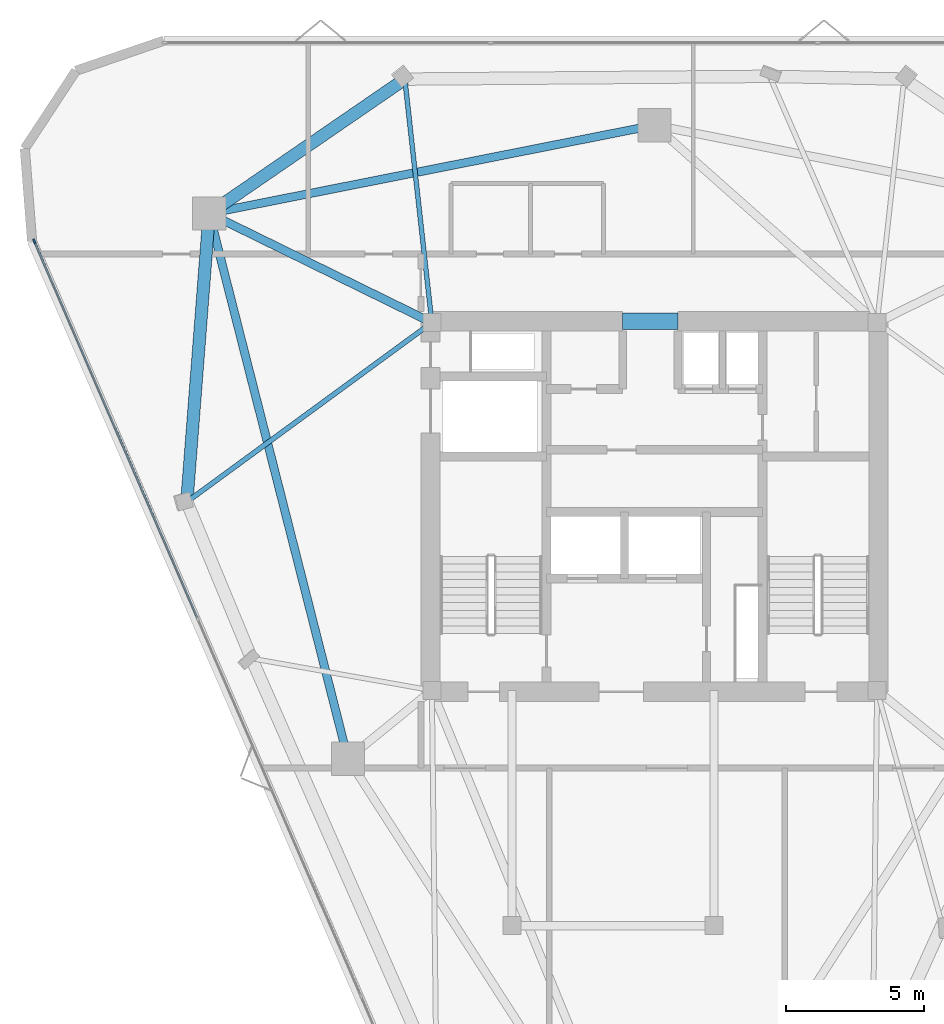
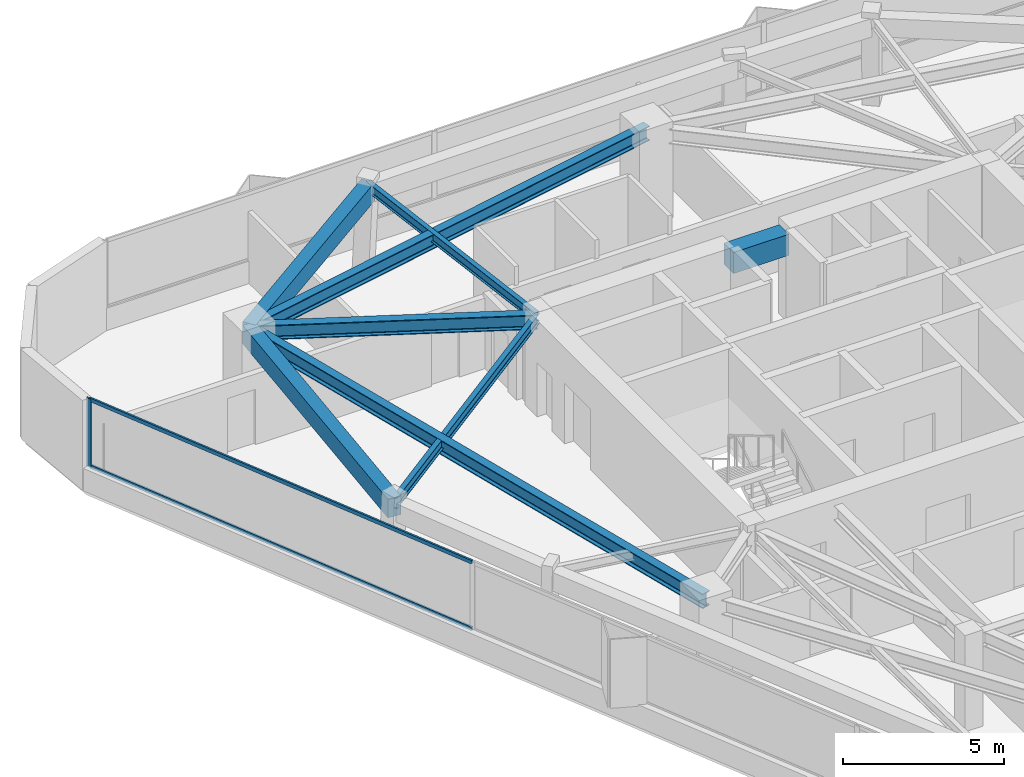
# One storey, part 5 of 11: 8 beams, 3 members, 1 element without a shape of its own.
"""IFC4 building model written with IfcOpenShell, lengths in metres."""

from ifc_helpers import new_model, si_unit, direction, frame, origin, origin_2d, place, context, subcontext, project, spatial, rectangle, i_section, extrude, material, layer, layer_set, material_profile, profile_set, type_object, element, aggregate, save


model = new_model("IFC4")

# Units and contexts
model_context = context("Model", 3, precision=1e-05, world=origin(), true_north=direction((0.0, 1.0)))
body_context = subcontext(model_context, "Body", "Model", "MODEL_VIEW")
ifc_project = project(units=[si_unit("LENGTHUNIT", "METRE"), si_unit("AREAUNIT", "SQUARE_METRE"), si_unit("VOLUMEUNIT", "CUBIC_METRE"), si_unit("PLANEANGLEUNIT", "RADIAN"), si_unit("MASSUNIT", "GRAM", prefix="KILO")], contexts=[model_context])

# Site, building, storey
site_placement = place(None, origin())
site = spatial("IfcSite", under=ifc_project, at=site_placement, CompositionType="ELEMENT")
building_placement = place(site_placement, origin())
building = spatial("IfcBuilding", under=site, at=building_placement, Name="Talyreon Biosciences Tower", CompositionType="ELEMENT")
storey_placement = place(building_placement, frame((0.0, 0.0, 264.449951171875)))
storey = spatial("IfcBuildingStorey", under=building, at=storey_placement, Name="L70", CompositionType="ELEMENT", Elevation=264.449951171875)

# Curtain wall, members
ifc_material_1 = material(Name="Thermally broken aluminium and low-E glazing", Category="aluminium")
ifc_layer = layer(ifc_material_1, 0.175048828125)
ifc_layer_set = layer_set([ifc_layer], Name="Thermally broken aluminium and low-E glazing")
curtain_wall_type = type_object("IfcCurtainWallType", Name="CurtainWall_Zone5CompLab", PredefinedType="NOTDEFINED", material=ifc_layer_set)
curtain_wall_placement = place(storey_placement, origin())
curtain_wall = element("IfcCurtainWall", 1, at=curtain_wall_placement, inside=storey, type_object=curtain_wall_type, Name="L70 Unitised Curtain Wall FCW-L70-00", PredefinedType="NOTDEFINED")
ifc_material_2 = material(Name="Anodised thermally broken aluminium", Category="aluminium")
ifc_material_profile_1 = material_profile(ifc_material_2, rectangle(XDim=0.06494140625, YDim=0.179931640625, at=origin_2d()), Name="ALUM MULLION 65x180")
ifc_profile_set_1 = profile_set([ifc_material_profile_1], Name="Anodised thermally broken aluminium")
member_type_1 = type_object("IfcMemberType", Name="CWMullion_65x180", PredefinedType="MULLION", material=ifc_profile_set_1)
member_1_placement = place(storey_placement, frame((43.57568359375, 77.58740234375, 0.81005859375), z_axis=(0.0, 0.0, 1.0), x_axis=(-0.917723103703, -0.397220725706, 0.0)))
member_1 = element("IfcMember", 2, at=member_1_placement, type_object=member_type_1, Name="CW6 mullion 4", PredefinedType="MULLION", context=body_context, shape_type="SweptSolid", body=[
    extrude(rectangle(XDim=0.06494140625, YDim=0.179931640625, at=origin_2d()), origin(), (0.0, 0.0, 1.0), 2.590087890625),
])
ifc_material_profile_2 = material_profile(ifc_material_2, rectangle(XDim=0.06494140625, YDim=0.139892578125, at=origin_2d()), Name="ALUM TRANSOM 65x140")
ifc_profile_set_2 = profile_set([ifc_material_profile_2], Name="Anodised thermally broken aluminium")
member_type_2 = type_object("IfcMemberType", Name="CWTransom_65x140", PredefinedType="USERDEFINED", material=ifc_profile_set_2)
member_2_placement = place(storey_placement, frame((49.462646484375, 63.986328125, 0.842529296875), z_axis=(-0.397216364839, 0.917724991217, 0.0), x_axis=(-0.917724991217, -0.397216364839, 0.0)))
member_2 = element("IfcMember", 3, at=member_2_placement, type_object=member_type_2, Name="CW6 transom 3.1", ObjectType="TRANSOM", PredefinedType="USERDEFINED", context=body_context, shape_type="SweptSolid", body=[
    extrude(rectangle(XDim=0.06494140625, YDim=0.139892578125, at=origin_2d()), origin(), (0.0, 0.0, 1.0), 14.7880859375),
])
member_3_placement = place(storey_placement, frame((49.462646484375, 63.986328125, 3.367431640625), z_axis=(-0.397216364839, 0.917724991217, 0.0), x_axis=(-0.917724991217, -0.397216364839, 0.0)))
member_3 = element("IfcMember", 4, at=member_3_placement, type_object=member_type_2, Name="CW6 transom 3.2", ObjectType="TRANSOM", PredefinedType="USERDEFINED", context=body_context, shape_type="SweptSolid", body=[
    extrude(rectangle(XDim=0.06494140625, YDim=0.139892578125, at=origin_2d()), origin(), (0.0, 0.0, 1.0), 14.7880859375),
])
aggregate(curtain_wall, [member_1, member_2, member_3])

# Beams
ifc_material_3 = material(Name="Concrete C50/60", Category="concrete")
ifc_material_profile_3 = material_profile(ifc_material_3, rectangle(XDim=0.60009765625, YDim=0.800048828125, at=origin_2d()), Name="RCB 600x800")
ifc_profile_set_3 = profile_set([ifc_material_profile_3], Name="Concrete C50/60")
beam_type_1 = type_object("IfcBeamType", Name="CoreCouplingLintel_600x800", PredefinedType="LINTEL", material=ifc_profile_set_3)
beam_1_placement = place(storey_placement, frame((64.85009765625, 74.699951171875, 3.0), z_axis=(1.0, 0.0, 0.0), x_axis=(0.0, 1.0, 0.0)))
element("IfcBeam", 5, at=beam_1_placement, inside=storey, type_object=beam_type_1, Name="L70 Core Coupling Lintel", PredefinedType="LINTEL", context=body_context, shape_type="SweptSolid", body=[
    extrude(rectangle(XDim=0.60009765625, YDim=0.800048828125, at=origin_2d()), origin(), (0.0, 0.0, 1.0), 2.0),
])
ifc_material_4 = material(Name="Precast concrete C45/55", Category="concrete")
ifc_material_profile_4 = material_profile(ifc_material_4, rectangle(XDim=0.449951171875, YDim=0.699951171875, at=origin_2d()), Name="RCB 450x700")
ifc_profile_set_4 = profile_set([ifc_material_profile_4], Name="Precast concrete C45/55")
beam_type_2 = type_object("IfcBeamType", Name="ExpressedSpandrel_450x700", PredefinedType="SPANDREL", material=ifc_profile_set_4)
beam_2_placement = place(storey_placement, frame((56.971923828125, 83.456298828125, 3.050048828125), z_axis=(-0.824360551935, -0.566065084962, 0.0), x_axis=(0.566065084962, -0.824360551935, 0.0)))
element("IfcBeam", 6, at=beam_2_placement, inside=storey, type_object=beam_type_2, Name="L70 Expressed Horizontal Concrete Spandrel 08", PredefinedType="SPANDREL", context=body_context, shape_type="SweptSolid", body=[
    extrude(rectangle(XDim=0.449951171875, YDim=0.699951171875, at=origin_2d()), origin(), (0.0, 0.0, 1.0), 8.58154296875),
])
beam_3_placement = place(storey_placement, frame((49.897705078125, 78.5986328125, 3.050048828125), z_axis=(-0.077386922975, -0.997001135482, 0.0), x_axis=(0.997001135482, -0.077386922975, 0.0)))
element("IfcBeam", 7, at=beam_3_placement, inside=storey, type_object=beam_type_2, Name="L70 Expressed Horizontal Concrete Spandrel 09", PredefinedType="SPANDREL", context=body_context, shape_type="SweptSolid", body=[
    extrude(rectangle(XDim=0.449951171875, YDim=0.699951171875, at=origin_2d()), origin(), (0.0, 0.0, 1.0), 10.464599609375),
])
ifc_material_5 = material(Name="Steel SM355", Category="steel")
ifc_material_profile_5 = material_profile(ifc_material_5, i_section(OverallWidth=0.300048828125, OverallDepth=0.550048828125, WebThickness=0.014892578125, FlangeThickness=0.029052734375, FilletRadius=0.027099609375, at=origin_2d()), Name="HE550B")
ifc_profile_set_5 = profile_set([ifc_material_profile_5], Name="Steel SM355")
beam_type_3 = type_object("IfcBeamType", Name="SteelBeam_HE550B", PredefinedType="BEAM", material=ifc_profile_set_5)
beam_4_placement = place(storey_placement, frame((66.0, 81.788818359375, 3.125), z_axis=(-0.980933730698, -0.194342522311, 0.0), x_axis=(0.194342522311, -0.980933730698, 0.0)))
element("IfcBeam", 8, at=beam_4_placement, inside=storey, type_object=beam_type_3, Name="L70 Mega-Ring Girder 4", PredefinedType="BEAM", context=body_context, shape_type="SweptSolid", body=[
    extrude(i_section(OverallWidth=0.300048828125, OverallDepth=0.550048828125, WebThickness=0.014892578125, FlangeThickness=0.029052734375, FilletRadius=0.027099609375, at=origin_2d()), origin(), (0.0, 0.0, 1.0), 16.415283203125),
])
beam_5_placement = place(storey_placement, frame((49.897705078125, 78.5986328125, 3.125), z_axis=(0.246537082299, -0.969133358755, 0.0), x_axis=(0.969133358755, 0.246537082299, 0.0)))
element("IfcBeam", 9, at=beam_5_placement, inside=storey, type_object=beam_type_3, Name="L70 Mega-Ring Girder 5", PredefinedType="BEAM", context=body_context, shape_type="SweptSolid", body=[
    extrude(i_section(OverallWidth=0.300048828125, OverallDepth=0.550048828125, WebThickness=0.014892578125, FlangeThickness=0.029052734375, FilletRadius=0.027099609375, at=origin_2d()), origin(), (0.0, 0.0, 1.0), 20.34619140625),
])
beam_6_placement = place(storey_placement, frame((57.949951171875, 74.64990234375, 3.125), z_axis=(-0.897852360314, 0.440296648952, 0.0), x_axis=(-0.440296648952, -0.897852360314, 0.0)))
element("IfcBeam", 10, at=beam_6_placement, inside=storey, type_object=beam_type_3, Name="L70 Radial Primary Girder 5", PredefinedType="BEAM", context=body_context, shape_type="SweptSolid", body=[
    extrude(i_section(OverallWidth=0.300048828125, OverallDepth=0.550048828125, WebThickness=0.014892578125, FlangeThickness=0.029052734375, FilletRadius=0.027099609375, at=origin_2d()), origin(), (0.0, 0.0, 1.0), 8.96826171875),
])
ifc_material_profile_6 = material_profile(ifc_material_5, i_section(OverallWidth=0.169921875, OverallDepth=0.360107421875, WebThickness=0.008056640625, FlangeThickness=0.0126953125, FilletRadius=0.01806640625, at=origin_2d()), Name="IPE360")
ifc_profile_set_6 = profile_set([ifc_material_profile_6], Name="Steel SM355")
beam_type_4 = type_object("IfcBeamType", Name="SteelJoist_IPE360", PredefinedType="JOIST", material=ifc_profile_set_6)
beam_7_placement = place(storey_placement, frame((57.949951171875, 74.64990234375, 3.219970703125), z_axis=(-0.110380114759, 0.993889445696, 0.0), x_axis=(-0.993889445696, -0.110380114759, 0.0)))
element("IfcBeam", 11, at=beam_7_placement, inside=storey, type_object=beam_type_4, Name="L70 Radial Composite Floor Joist PC-N2", PredefinedType="JOIST", context=body_context, shape_type="SweptSolid", body=[
    extrude(i_section(OverallWidth=0.169921875, OverallDepth=0.360107421875, WebThickness=0.008056640625, FlangeThickness=0.0126953125, FilletRadius=0.01806640625, at=origin_2d()), origin(), (0.0, 0.0, 1.0), 8.860595703125),
])
ifc_material_profile_7 = material_profile(ifc_material_5, i_section(OverallWidth=0.179931640625, OverallDepth=0.39990234375, WebThickness=0.008544921875, FlangeThickness=0.013427734375, FilletRadius=0.02099609375, at=origin_2d()), Name="IPE400")
ifc_profile_set_7 = profile_set([ifc_material_profile_7], Name="Steel SM355")
beam_type_5 = type_object("IfcBeamType", Name="SteelJoist_IPE400", PredefinedType="JOIST", material=ifc_profile_set_7)
beam_8_placement = place(storey_placement, frame((57.949951171875, 74.64990234375, 3.199951171875), z_axis=(-0.807032909873, -0.590506462608, 0.0), x_axis=(0.590506462608, -0.807032909873, 0.0)))
element("IfcBeam", 12, at=beam_8_placement, inside=storey, type_object=beam_type_5, Name="L70 Radial Composite Floor Joist PC-SW1", PredefinedType="JOIST", context=body_context, shape_type="SweptSolid", body=[
    extrude(i_section(OverallWidth=0.179931640625, OverallDepth=0.39990234375, WebThickness=0.008544921875, FlangeThickness=0.013427734375, FilletRadius=0.02099609375, at=origin_2d()), origin(), (0.0, 0.0, 1.0), 10.98095703125),
])

save(model, "model.ifc")
